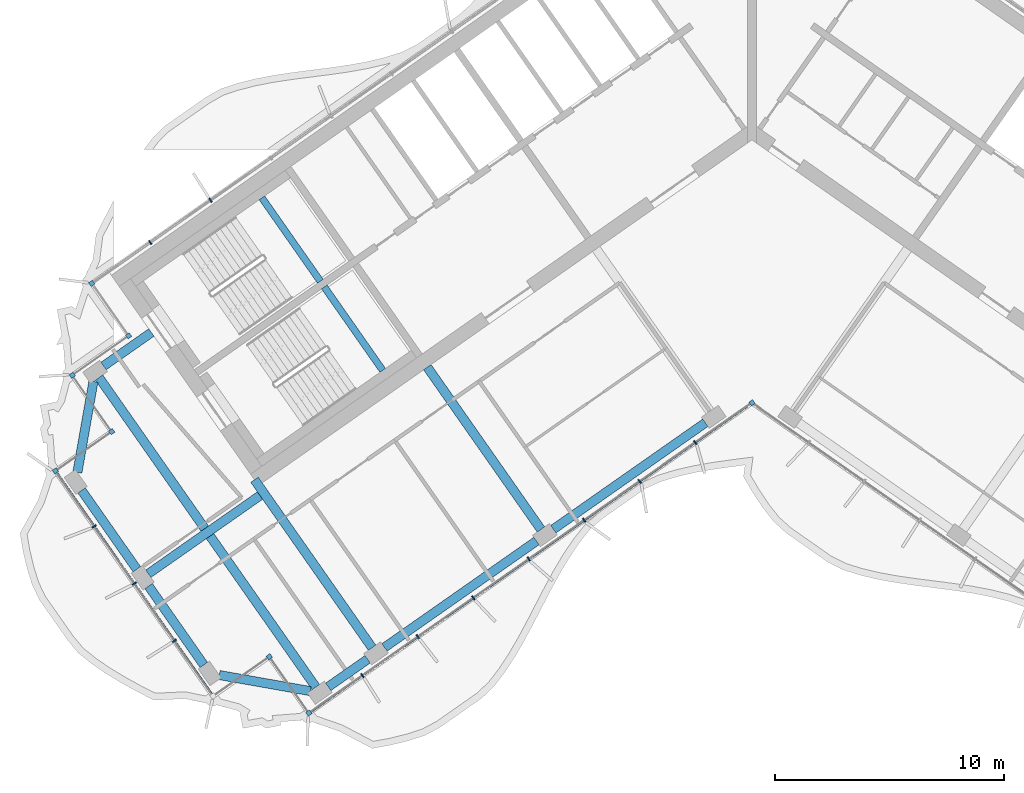
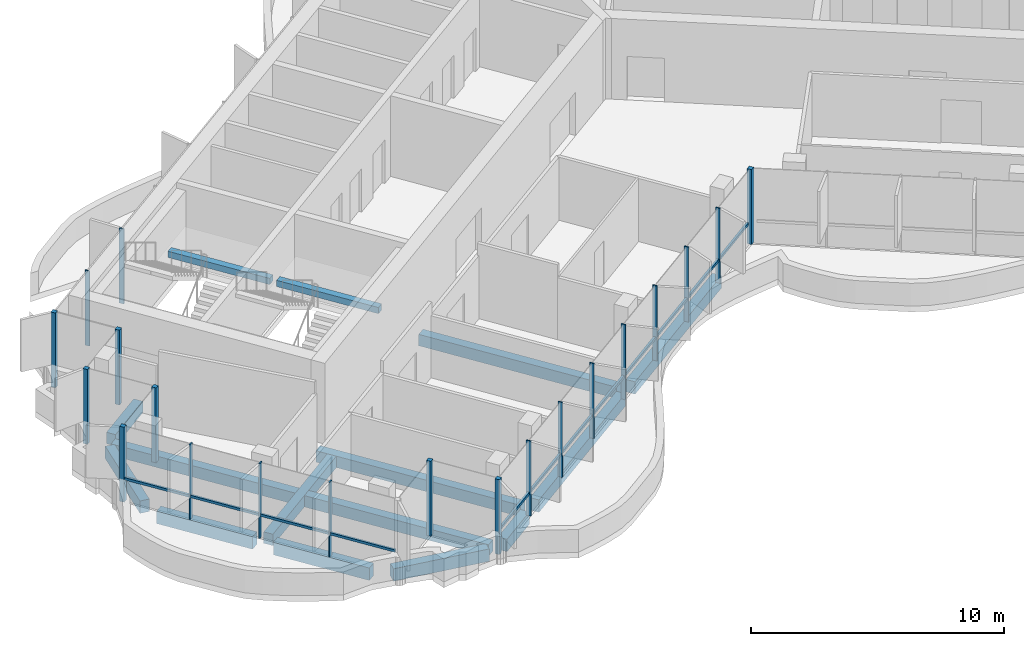
# One storey, part 2 of 18: 22 members, 14 beams, 2 elements without a shape of their own.
"""IFC4 building model written with IfcOpenShell, lengths in metres."""

from ifc_helpers import new_model, si_unit, direction, frame, origin, origin_2d, place, context, subcontext, project, spatial, rectangle, extrude, material, material_profile, profile_set, type_object, element, aggregate, save


model = new_model("IFC4")

# Units and contexts
model_context = context("Model", 3, precision=1e-05, world=origin(), true_north=direction((0.0, 1.0)))
body_context = subcontext(model_context, "Body", "Model", "MODEL_VIEW")
ifc_project = project(units=[si_unit("LENGTHUNIT", "METRE"), si_unit("AREAUNIT", "SQUARE_METRE"), si_unit("VOLUMEUNIT", "CUBIC_METRE"), si_unit("PLANEANGLEUNIT", "RADIAN"), si_unit("MASSUNIT", "GRAM", prefix="KILO")], contexts=[model_context])

# Site, building, storey
site_placement = place(None, origin())
site = spatial("IfcSite", under=ifc_project, at=site_placement, CompositionType="ELEMENT")
building_placement = place(site_placement, origin())
building = spatial("IfcBuilding", under=site, at=building_placement, Name="Tel Ilan Convention Tower", CompositionType="ELEMENT")
storey_placement = place(building_placement, frame((0.0, 0.0, 299.5)))
storey = spatial("IfcBuildingStorey", under=building, at=storey_placement, Name="L71", CompositionType="ELEMENT", Elevation=299.5)

# Beams
ifc_material_1 = material(Name="Concrete C40/50", Category="concrete")
ifc_material_profile_1 = material_profile(ifc_material_1, rectangle(XDim=0.39990234375, YDim=0.550048828125, at=origin_2d()), Name="RC 400x550")
ifc_profile_set_1 = profile_set([ifc_material_profile_1], Name="Concrete C40/50")
beam_type_1 = type_object("IfcBeamType", Name="Beam RC 400x550 Concrete C40/50", PredefinedType="BEAM", material=ifc_profile_set_1)
beam_1_placement = place(storey_placement, frame((-28.306884765625, -11.09228515625, -0.554931640625), z_axis=(0.819119449707, 0.573622983424, 0.0), x_axis=(-0.573622983424, 0.819119449707, 0.0)))
element("IfcBeam", 1, at=beam_1_placement, inside=storey, type_object=beam_type_1, Name="L71 beam W-W-BC-core", PredefinedType="BEAM", context=body_context, shape_type="SweptSolid", body=[
    extrude(rectangle(XDim=0.39990234375, YDim=0.550048828125, at=origin_2d()), origin(), (0.0, 0.0, 1.0), 2.5498046875),
])
beam_2_placement = place(storey_placement, frame((-9.209716796875, -18.229248046875, -0.554931640625), z_axis=(-0.573574099654, 0.819153680457, 0.0), x_axis=(-0.819153680457, -0.573574099654, 0.0)))
element("IfcBeam", 2, at=beam_2_placement, inside=storey, type_object=beam_type_1, Name="L71 beam W-W-F2-core", PredefinedType="BEAM", context=body_context, shape_type="SweptSolid", body=[
    extrude(rectangle(XDim=0.39990234375, YDim=0.550048828125, at=origin_2d()), origin(), (0.0, 0.0, 1.0), 8.64990234375),
])
beam_3_placement = place(storey_placement, frame((-16.58203125, -23.391357421875, -0.554931640625), z_axis=(-0.573584999642, 0.819146048141, 0.0), x_axis=(-0.819146048141, -0.573584999642, 0.0)))
element("IfcBeam", 3, at=beam_3_placement, inside=storey, type_object=beam_type_1, Name="L71 beam W-W-F3-core", PredefinedType="BEAM", context=body_context, shape_type="SweptSolid", body=[
    extrude(rectangle(XDim=0.39990234375, YDim=0.550048828125, at=origin_2d()), origin(), (0.0, 0.0, 1.0), 8.949951171875),
])
beam_4_placement = place(storey_placement, frame((-21.477783203125, -16.748046875, -0.554931640625), z_axis=(-0.819150951061, -0.57357799764, 0.0), x_axis=(0.57357799764, -0.819150951061, 0.0)))
element("IfcBeam", 4, at=beam_4_placement, inside=storey, type_object=beam_type_1, Name="L71 beam W-core-end", PredefinedType="BEAM", context=body_context, shape_type="SweptSolid", body=[
    extrude(rectangle(XDim=0.39990234375, YDim=0.550048828125, at=origin_2d()), origin(), (0.0, 0.0, 1.0), 5.9501953125),
])
beam_5_placement = place(storey_placement, frame((-19.03955078125, -25.112060546875, -0.554931640625), z_axis=(-0.573584483202, 0.819146409765, 0.0), x_axis=(-0.819146409765, -0.573584483202, 0.0)))
element("IfcBeam", 5, at=beam_5_placement, inside=storey, type_object=beam_type_1, Name="L71 beam W-W-FC-W-BC", PredefinedType="BEAM", context=body_context, shape_type="SweptSolid", body=[
    extrude(rectangle(XDim=0.39990234375, YDim=0.550048828125, at=origin_2d()), origin(), (0.0, 0.0, 1.0), 16.5),
])
ifc_material_2 = material(Name="Concrete C40/50", Category="concrete")
ifc_material_profile_2 = material_profile(ifc_material_2, rectangle(XDim=0.39990234375, YDim=0.60009765625, at=origin_2d()), Name="RC 400x600")
ifc_profile_set_2 = profile_set([ifc_material_profile_2], Name="Concrete C40/50")
beam_type_2 = type_object("IfcBeamType", Name="Beam RC 400x600 Concrete C40/50", PredefinedType="BEAM", material=ifc_profile_set_2)
beam_6_placement = place(storey_placement, frame((-2.033935546875, -13.57080078125, -0.580078125), z_axis=(-0.81914553362, -0.573585734437, 0.0), x_axis=(0.573585734437, -0.81914553362, 0.0)))
element("IfcBeam", 6, at=beam_6_placement, inside=storey, type_object=beam_type_2, Name="L71 beam W-W-F1-W-F2", PredefinedType="BEAM", context=body_context, shape_type="SweptSolid", body=[
    extrude(rectangle(XDim=0.39990234375, YDim=0.60009765625, at=origin_2d()), origin(), (0.0, 0.0, 1.0), 8.099853515625),
])
beam_7_placement = place(storey_placement, frame((-9.40625, -18.73291015625, -0.580078125), z_axis=(-0.819155449703, -0.573571572885, 0.0), x_axis=(0.573571572885, -0.819155449703, 0.0)))
element("IfcBeam", 7, at=beam_7_placement, inside=storey, type_object=beam_type_2, Name="L71 beam W-W-F2-W-F3", PredefinedType="BEAM", context=body_context, shape_type="SweptSolid", body=[
    extrude(rectangle(XDim=0.39990234375, YDim=0.60009765625, at=origin_2d()), origin(), (0.0, 0.0, 1.0), 8.10009765625),
])
beam_8_placement = place(storey_placement, frame((-16.778564453125, -23.895263671875, -0.580078125), z_axis=(-0.819188222026, -0.573524765719, 0.0), x_axis=(0.573524765719, -0.819188222026, 0.0)))
element("IfcBeam", 8, at=beam_8_placement, inside=storey, type_object=beam_type_2, Name="L71 beam W-W-F3-W-FC", PredefinedType="BEAM", context=body_context, shape_type="SweptSolid", body=[
    extrude(rectangle(XDim=0.39990234375, YDim=0.60009765625, at=origin_2d()), origin(), (0.0, 0.0, 1.0), 2.099853515625),
])
beam_9_placement = place(storey_placement, frame((-19.285400390625, -25.2841796875, -0.580078125), z_axis=(-0.984804894423, 0.173664388751, 0.0), x_axis=(-0.173664388751, -0.984804894423, 0.0)))
element("IfcBeam", 9, at=beam_9_placement, inside=storey, type_object=beam_type_2, Name="L71 beam W-W-FC-W-E1", PredefinedType="BEAM", context=body_context, shape_type="SweptSolid", body=[
    extrude(rectangle(XDim=0.39990234375, YDim=0.60009765625, at=origin_2d()), origin(), (0.0, 0.0, 1.0), 4.030517578125),
])
for number, where, z_axis, x_axis, name in (
    (10, (-23.930419921875, -24.14208984375, -0.580078125), (-0.573602778367, 0.819133598779, 0.0), (-0.819133598779, -0.573602778367, 0.0), "L71 beam W-W-E1-W-E2"),
    (11, (-26.855712890625, -19.96435546875, -0.580078125), (-0.573602778367, 0.819133598779, 0.0), (-0.819133598779, -0.573602778367, 0.0), "L71 beam W-W-E2-W-E3"),
):
    element("IfcBeam", number, at=place(storey_placement, frame(where, z_axis=z_axis, x_axis=x_axis)), inside=storey, type_object=beam_type_2, Name=name, PredefinedType="BEAM", context=body_context, shape_type="SweptSolid", body=[
        extrude(rectangle(XDim=0.39990234375, YDim=0.60009765625, at=origin_2d()), origin(), (0.0, 0.0, 1.0), 4.2001953125),
    ])
beam_10_placement = place(storey_placement, frame((-29.44921875, -15.737548828125, -0.580078125), z_axis=(0.173664388751, 0.984804894423, 0.0), x_axis=(-0.984804894423, 0.173664388751, 0.0)))
element("IfcBeam", 12, at=beam_10_placement, inside=storey, type_object=beam_type_2, Name="L71 beam W-W-E3-W-BC", PredefinedType="BEAM", context=body_context, shape_type="SweptSolid", body=[
    extrude(rectangle(XDim=0.39990234375, YDim=0.60009765625, at=origin_2d()), origin(), (0.0, 0.0, 1.0), 4.030517578125),
])

# Curtain wall, members
ifc_material_3 = material(Name="Aluminium, bronze anodised", Category="aluminium")
curtain_wall_type_1 = type_object("IfcCurtainWallType", Name="CW2 STICK CURTAIN WALL, SPANDREL PANELS", PredefinedType="NOTDEFINED", material=ifc_material_3)
curtain_wall_1_placement = place(storey_placement, origin())
curtain_wall_1 = element("IfcCurtainWall", 13, at=curtain_wall_1_placement, inside=storey, type_object=curtain_wall_type_1, Name="Curtain wall CW2-54.01", PredefinedType="NOTDEFINED")
ifc_material_4 = material(Name="Aluminium, bronze anodised", Category="aluminium")
ifc_material_profile_3 = material_profile(ifc_material_4, rectangle(XDim=0.199951171875, YDim=0.199951171875, at=origin_2d()), Name="CW CORNER MULLION 200x200")
ifc_profile_set_3 = profile_set([ifc_material_profile_3], Name="Aluminium, bronze anodised")
member_type_1 = type_object("IfcMemberType", Name="CW CORNER MULLION 200x200", PredefinedType="MULLION", material=ifc_profile_set_3)
member_1_placement = place(storey_placement, frame((-28.819580078125, -7.483642578125, 0.0), z_axis=(0.0, 0.0, 1.0), x_axis=(-0.819152044289, -0.573576436351, 0.0)))
member_1 = element("IfcMember", 14, at=member_1_placement, type_object=member_type_1, Name="Corner mullion", PredefinedType="MULLION", context=body_context, shape_type="SweptSolid", body=[
    extrude(rectangle(XDim=0.199951171875, YDim=0.199951171875, at=origin_2d()), origin(), (0.0, 0.0, 1.0), 3.6201171875),
])
member_2_placement = place(storey_placement, frame((-27.213623046875, -9.77734375, 0.0), z_axis=(0.0, 0.0, 1.0), x_axis=(0.573576436351, -0.819152044289, 0.0)))
member_2 = element("IfcMember", 15, at=member_2_placement, type_object=member_type_1, Name="Corner mullion", PredefinedType="MULLION", context=body_context, shape_type="SweptSolid", body=[
    extrude(rectangle(XDim=0.199951171875, YDim=0.199951171875, at=origin_2d()), origin(), (0.0, 0.0, 1.0), 3.6201171875),
])

ifc_material_5 = material(Name="Aluminium, bronze anodised", Category="aluminium")
curtain_wall_type_2 = type_object("IfcCurtainWallType", Name="CW5 STICK CURTAIN WALL, UPPER OFFICE LOW-IRON TINTED GLASS", PredefinedType="NOTDEFINED", material=ifc_material_5)
curtain_wall_2_placement = place(storey_placement, origin())
curtain_wall_2 = element("IfcCurtainWall", 16, at=curtain_wall_2_placement, inside=storey, type_object=curtain_wall_type_2, Name="Curtain wall CW5-54.02", PredefinedType="NOTDEFINED")
member_3_placement = place(storey_placement, frame((-29.6708984375, -11.498046875, 0.0), z_axis=(0.0, 0.0, 1.0), x_axis=(-0.819152044289, -0.573576436351, 0.0)))
member_3 = element("IfcMember", 17, at=member_3_placement, type_object=member_type_1, Name="Corner mullion", PredefinedType="MULLION", context=body_context, shape_type="SweptSolid", body=[
    extrude(rectangle(XDim=0.199951171875, YDim=0.199951171875, at=origin_2d()), origin(), (0.0, 0.0, 1.0), 3.6201171875),
])
member_4_placement = place(storey_placement, frame((-27.9501953125, -13.955322265625, 0.0), z_axis=(0.0, 0.0, 1.0), x_axis=(0.573576436351, -0.819152044289, 0.0)))
member_4 = element("IfcMember", 18, at=member_4_placement, type_object=member_type_1, Name="Corner mullion", PredefinedType="MULLION", context=body_context, shape_type="SweptSolid", body=[
    extrude(rectangle(XDim=0.199951171875, YDim=0.199951171875, at=origin_2d()), origin(), (0.0, 0.0, 1.0), 3.6201171875),
])
member_5_placement = place(storey_placement, frame((-30.40771484375, -15.676025390625, 0.0), z_axis=(0.0, 0.0, 1.0), x_axis=(-0.819152044289, -0.573576436351, 0.0)))
member_5 = element("IfcMember", 19, at=member_5_placement, type_object=member_type_1, Name="Corner mullion", PredefinedType="MULLION", context=body_context, shape_type="SweptSolid", body=[
    extrude(rectangle(XDim=0.199951171875, YDim=0.199951171875, at=origin_2d()), origin(), (0.0, 0.0, 1.0), 3.6201171875),
])
member_6_placement = place(storey_placement, frame((-21.0673828125, -23.78515625, 0.0), z_axis=(0.0, 0.0, 1.0), x_axis=(0.819152044289, 0.573576436351, 0.0)))
member_6 = element("IfcMember", 20, at=member_6_placement, type_object=member_type_1, Name="Corner mullion", PredefinedType="MULLION", context=body_context, shape_type="SweptSolid", body=[
    extrude(rectangle(XDim=0.199951171875, YDim=0.199951171875, at=origin_2d()), origin(), (0.0, 0.0, 1.0), 3.6201171875),
])
member_7_placement = place(storey_placement, frame((-19.3466796875, -26.24267578125, 0.0), z_axis=(0.0, 0.0, 1.0), x_axis=(0.573576436351, -0.819152044289, 0.0)))
member_7 = element("IfcMember", 21, at=member_7_placement, type_object=member_type_1, Name="Corner mullion", PredefinedType="MULLION", context=body_context, shape_type="SweptSolid", body=[
    extrude(rectangle(XDim=0.199951171875, YDim=0.199951171875, at=origin_2d()), origin(), (0.0, 0.0, 1.0), 3.6201171875),
])
member_8_placement = place(storey_placement, frame((0.0, -12.696044921875, 0.0), z_axis=(0.0, 0.0, 1.0), x_axis=(0.819152044289, 0.573576436351, 0.0)))
member_8 = element("IfcMember", 22, at=member_8_placement, type_object=member_type_1, Name="Corner mullion", PredefinedType="MULLION", context=body_context, shape_type="SweptSolid", body=[
    extrude(rectangle(XDim=0.199951171875, YDim=0.199951171875, at=origin_2d()), origin(), (0.0, 0.0, 1.0), 3.6201171875),
])

# Member
ifc_material_6 = material(Name="Aluminium, bronze anodised", Category="aluminium")
ifc_material_profile_4 = material_profile(ifc_material_6, rectangle(XDim=0.06005859375, YDim=0.199951171875, at=origin_2d()), Name="CW MULLION 60x200")
ifc_profile_set_4 = profile_set([ifc_material_profile_4], Name="Aluminium, bronze anodised")
member_type_2 = type_object("IfcMemberType", Name="CW MULLION 60x200", PredefinedType="MULLION", material=ifc_profile_set_4)
member_9_placement = place(storey_placement, frame((-23.63623046875, -3.854248046875, 0.0), z_axis=(0.0, 0.0, 1.0), x_axis=(-0.819152044289, -0.573576436351, 0.0)))
member_9 = element("IfcMember", 23, at=member_9_placement, type_object=member_type_2, Name="Mullion", PredefinedType="MULLION", context=body_context, shape_type="SweptSolid", body=[
    extrude(rectangle(XDim=0.06005859375, YDim=0.199951171875, at=origin_2d()), origin(), (0.0, 0.0, 1.0), 3.6201171875),
])

member_10_placement = place(storey_placement, frame((-26.268798828125, -5.697509765625, 0.0), z_axis=(0.0, 0.0, 1.0), x_axis=(-0.819152044289, -0.573576436351, 0.0)))
member_10 = element("IfcMember", 24, at=member_10_placement, type_object=member_type_2, Name="Mullion", PredefinedType="MULLION", context=body_context, shape_type="SweptSolid", body=[
    extrude(rectangle(XDim=0.06005859375, YDim=0.199951171875, at=origin_2d()), origin(), (0.0, 0.0, 1.0), 3.6201171875),
])

aggregate(curtain_wall_1, [member_9, member_10, member_1, member_2])

member_11_placement = place(storey_placement, frame((-28.715576171875, -18.092529296875, 0.0), z_axis=(0.0, 0.0, 1.0), x_axis=(0.573576436351, -0.819152044289, 0.0)))
member_11 = element("IfcMember", 25, at=member_11_placement, type_object=member_type_2, Name="Mullion", PredefinedType="MULLION", context=body_context, shape_type="SweptSolid", body=[
    extrude(rectangle(XDim=0.06005859375, YDim=0.199951171875, at=origin_2d()), origin(), (0.0, 0.0, 1.0), 3.6201171875),
])

member_12_placement = place(storey_placement, frame((-26.96630859375, -20.591064453125, 0.0), z_axis=(0.0, 0.0, 1.0), x_axis=(0.573576436351, -0.819152044289, 0.0)))
member_12 = element("IfcMember", 26, at=member_12_placement, type_object=member_type_2, Name="Mullion", PredefinedType="MULLION", context=body_context, shape_type="SweptSolid", body=[
    extrude(rectangle(XDim=0.06005859375, YDim=0.199951171875, at=origin_2d()), origin(), (0.0, 0.0, 1.0), 3.6201171875),
])

member_13_placement = place(storey_placement, frame((-25.216796875, -23.08935546875, 0.0), z_axis=(0.0, 0.0, 1.0), x_axis=(0.573576436351, -0.819152044289, 0.0)))
member_13 = element("IfcMember", 27, at=member_13_placement, type_object=member_type_2, Name="Mullion", PredefinedType="MULLION", context=body_context, shape_type="SweptSolid", body=[
    extrude(rectangle(XDim=0.06005859375, YDim=0.199951171875, at=origin_2d()), origin(), (0.0, 0.0, 1.0), 3.6201171875),
])

member_14_placement = place(storey_placement, frame((-17.007080078125, -24.6044921875, 0.0), z_axis=(0.0, 0.0, 1.0), x_axis=(0.819152044289, 0.573576436351, 0.0)))
member_14 = element("IfcMember", 28, at=member_14_placement, type_object=member_type_2, Name="Mullion", PredefinedType="MULLION", context=body_context, shape_type="SweptSolid", body=[
    extrude(rectangle(XDim=0.06005859375, YDim=0.199951171875, at=origin_2d()), origin(), (0.0, 0.0, 1.0), 3.6201171875),
])

member_15_placement = place(storey_placement, frame((-14.585693359375, -22.9091796875, 0.0), z_axis=(0.0, 0.0, 1.0), x_axis=(0.819152044289, 0.573576436351, 0.0)))
member_15 = element("IfcMember", 29, at=member_15_placement, type_object=member_type_2, Name="Mullion", PredefinedType="MULLION", context=body_context, shape_type="SweptSolid", body=[
    extrude(rectangle(XDim=0.06005859375, YDim=0.199951171875, at=origin_2d()), origin(), (0.0, 0.0, 1.0), 3.6201171875),
])

member_16_placement = place(storey_placement, frame((-12.164306640625, -21.213623046875, 0.0), z_axis=(0.0, 0.0, 1.0), x_axis=(0.819152044289, 0.573576436351, 0.0)))
member_16 = element("IfcMember", 30, at=member_16_placement, type_object=member_type_2, Name="Mullion", PredefinedType="MULLION", context=body_context, shape_type="SweptSolid", body=[
    extrude(rectangle(XDim=0.06005859375, YDim=0.199951171875, at=origin_2d()), origin(), (0.0, 0.0, 1.0), 3.6201171875),
])

member_17_placement = place(storey_placement, frame((-9.742919921875, -19.51806640625, 0.0), z_axis=(0.0, 0.0, 1.0), x_axis=(0.819152044289, 0.573576436351, 0.0)))
member_17 = element("IfcMember", 31, at=member_17_placement, type_object=member_type_2, Name="Mullion", PredefinedType="MULLION", context=body_context, shape_type="SweptSolid", body=[
    extrude(rectangle(XDim=0.06005859375, YDim=0.199951171875, at=origin_2d()), origin(), (0.0, 0.0, 1.0), 3.6201171875),
])

member_18_placement = place(storey_placement, frame((-7.321533203125, -17.82275390625, 0.0), z_axis=(0.0, 0.0, 1.0), x_axis=(0.819152044289, 0.573576436351, 0.0)))
member_18 = element("IfcMember", 32, at=member_18_placement, type_object=member_type_2, Name="Mullion", PredefinedType="MULLION", context=body_context, shape_type="SweptSolid", body=[
    extrude(rectangle(XDim=0.06005859375, YDim=0.199951171875, at=origin_2d()), origin(), (0.0, 0.0, 1.0), 3.6201171875),
])

member_19_placement = place(storey_placement, frame((-4.900146484375, -16.127197265625, 0.0), z_axis=(0.0, 0.0, 1.0), x_axis=(0.819152044289, 0.573576436351, 0.0)))
member_19 = element("IfcMember", 33, at=member_19_placement, type_object=member_type_2, Name="Mullion", PredefinedType="MULLION", context=body_context, shape_type="SweptSolid", body=[
    extrude(rectangle(XDim=0.06005859375, YDim=0.199951171875, at=origin_2d()), origin(), (0.0, 0.0, 1.0), 3.6201171875),
])

member_20_placement = place(storey_placement, frame((-2.478759765625, -14.431640625, 0.0), z_axis=(0.0, 0.0, 1.0), x_axis=(0.819152044289, 0.573576436351, 0.0)))
member_20 = element("IfcMember", 34, at=member_20_placement, type_object=member_type_2, Name="Mullion", PredefinedType="MULLION", context=body_context, shape_type="SweptSolid", body=[
    extrude(rectangle(XDim=0.06005859375, YDim=0.199951171875, at=origin_2d()), origin(), (0.0, 0.0, 1.0), 3.6201171875),
])

ifc_material_7 = material(Name="Aluminium, bronze anodised", Category="aluminium")
ifc_material_profile_5 = material_profile(ifc_material_7, rectangle(XDim=0.10009765625, YDim=0.1201171875, at=origin_2d()), Name="CW TRANSOM 100x120")
ifc_profile_set_5 = profile_set([ifc_material_profile_5], Name="Aluminium, bronze anodised")
member_type_3 = type_object("IfcMemberType", Name="CW TRANSOM 100x120", PredefinedType="USERDEFINED", material=ifc_profile_set_5)
member_21_placement = place(storey_placement, frame((-30.350341796875, -15.758056640625, 1.10009765625), z_axis=(0.573581755582, -0.819148319698, 0.0), x_axis=(0.819148319698, 0.573581755582, 0.0)))
member_21 = element("IfcMember", 35, at=member_21_placement, type_object=member_type_3, Name="Transom", ObjectType="TRANSOM", PredefinedType="USERDEFINED", context=body_context, shape_type="SweptSolid", body=[
    extrude(rectangle(XDim=0.10009765625, YDim=0.1201171875, at=origin_2d()), origin(), (0.0, 0.0, 1.0), 11.800048828125),
])

member_22_placement = place(storey_placement, frame((-19.2646484375, -26.185302734375, 1.10009765625), z_axis=(0.81915001336, 0.573579336808, 0.0), x_axis=(-0.573579336808, 0.81915001336, 0.0)))
member_22 = element("IfcMember", 36, at=member_22_placement, type_object=member_type_3, Name="Transom", ObjectType="TRANSOM", PredefinedType="USERDEFINED", context=body_context, shape_type="SweptSolid", body=[
    extrude(rectangle(XDim=0.10009765625, YDim=0.1201171875, at=origin_2d()), origin(), (0.0, 0.0, 1.0), 23.247802734375),
])

aggregate(curtain_wall_2, [member_3, member_4, member_5, member_11, member_12, member_13, member_21, member_6, member_7, member_14, member_15, member_16, member_17, member_18, member_19, member_20, member_8, member_22])

# Beams
ifc_material_8 = material(Name="Concrete C40/50", Category="concrete")
ifc_material_profile_6 = material_profile(ifc_material_8, rectangle(XDim=0.300048828125, YDim=0.300048828125, at=origin_2d()), Name="RC 300x300")
ifc_profile_set_6 = profile_set([ifc_material_profile_6], Name="Concrete C40/50")
beam_type_3 = type_object("IfcBeamType", Name="Landing Beam RC 300x300 Concrete C40/50", PredefinedType="BEAM", material=ifc_profile_set_6)
beam_11_placement = place(storey_placement, frame((-18.841796875, -7.394287109375, 1.60009765625), z_axis=(-0.573547030514, 0.819172633691, 0.0), x_axis=(-0.819172633691, -0.573547030514, 0.0)))
element("IfcBeam", 37, at=beam_11_placement, inside=storey, type_object=beam_type_3, Name="S1 landing beam L71.1", PredefinedType="BEAM", context=body_context, shape_type="SweptSolid", body=[
    extrude(rectangle(XDim=0.300048828125, YDim=0.300048828125, at=origin_2d()), origin(), (0.0, 0.0, 1.0), 4.449951171875),
])
beam_12_placement = place(storey_placement, frame((-16.1171875, -11.285400390625, 1.60009765625), z_axis=(-0.573583844845, 0.819146856756, 0.0), x_axis=(-0.819146856756, -0.573583844845, 0.0)))
element("IfcBeam", 38, at=beam_12_placement, inside=storey, type_object=beam_type_3, Name="S2 landing beam L71.1", PredefinedType="BEAM", context=body_context, shape_type="SweptSolid", body=[
    extrude(rectangle(XDim=0.300048828125, YDim=0.300048828125, at=origin_2d()), origin(), (0.0, 0.0, 1.0), 4.4501953125),
])

save(model, "model.ifc")
